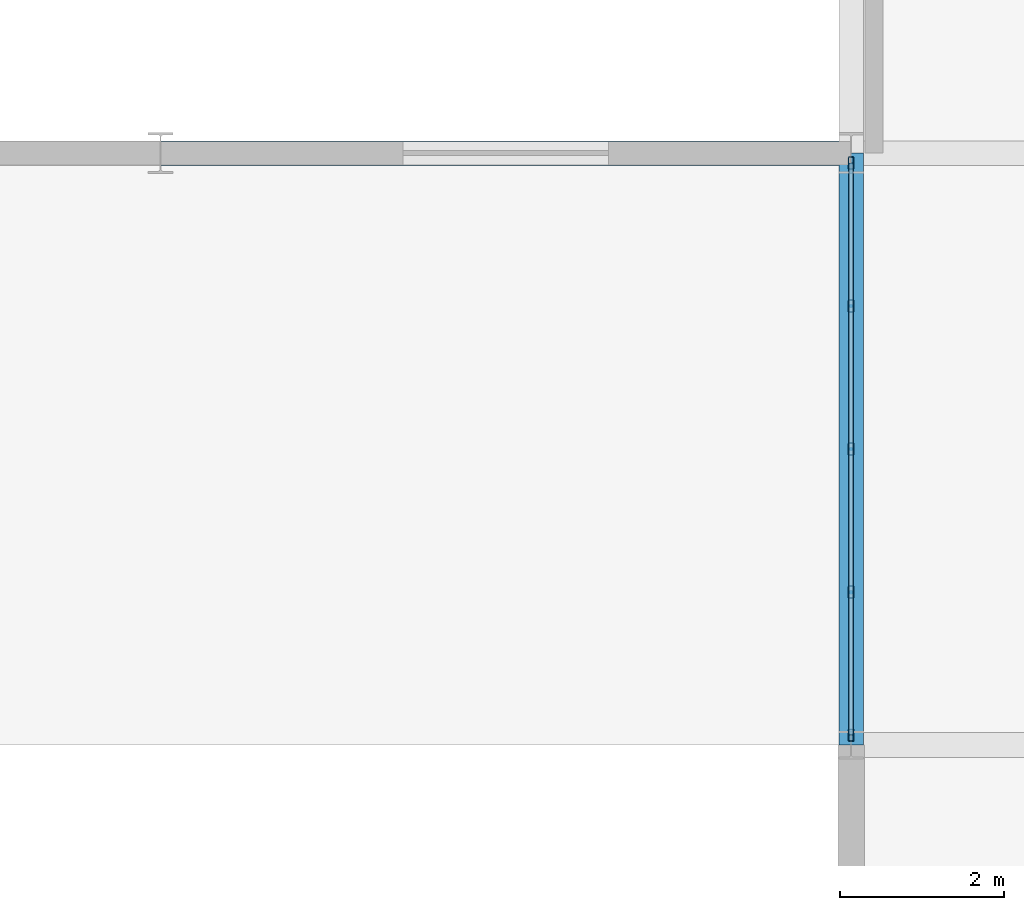
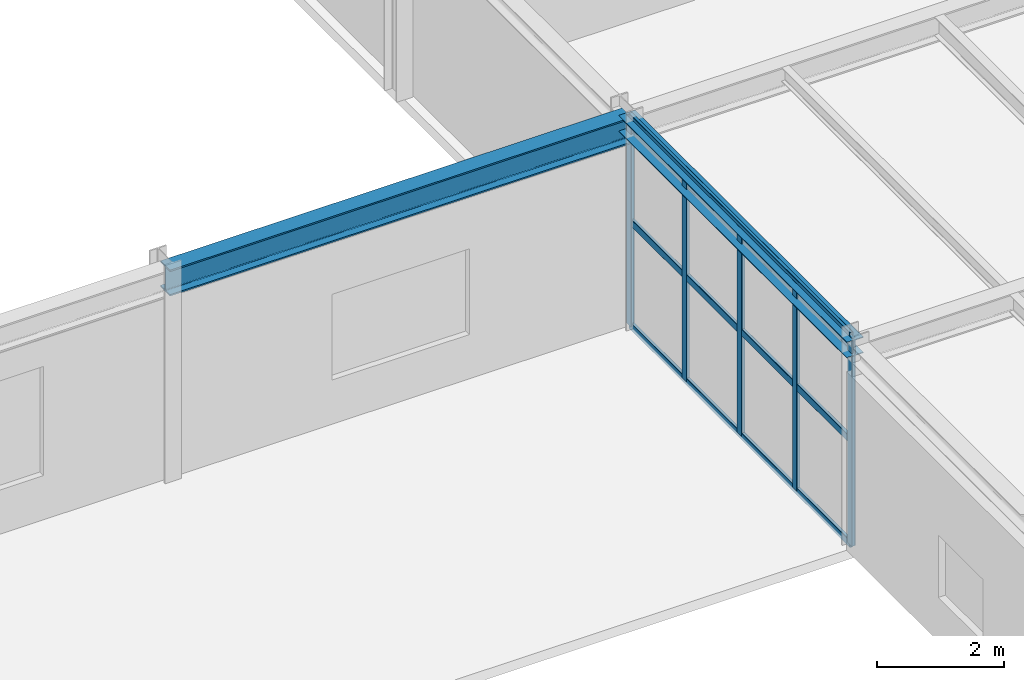
# One storey, part 44 of 73: 8 members, 2 beams, 1 element without a shape of its own.
"""IFC4 building model written with IfcOpenShell, lengths in metres."""

from ifc_helpers import new_model, si_unit, derived_unit, direction, frame, origin, origin_2d, place, context, subcontext, project, spatial, hollow_rectangle, i_section, extrude, material, material_profile, profile_set, type_object, element, aggregate, save


model = new_model("IFC4")

# Units and contexts
model_context = context("Model", 3, precision=1e-05, world=origin(), true_north=direction((0.0, 1.0)))
body_context = subcontext(model_context, "Body", "Model", "MODEL_VIEW")
ifc_project = project(units=[si_unit("LENGTHUNIT", "METRE"), si_unit("AREAUNIT", "SQUARE_METRE"), si_unit("VOLUMEUNIT", "CUBIC_METRE"), si_unit("PLANEANGLEUNIT", "RADIAN"), si_unit("MASSUNIT", "GRAM", prefix="KILO"), derived_unit("THERMALTRANSMITTANCEUNIT", [(si_unit("MASSUNIT", "GRAM", prefix="KILO"), 1), (si_unit("TIMEUNIT", "SECOND"), -3), (si_unit("THERMODYNAMICTEMPERATUREUNIT", "KELVIN"), -1)])], contexts=[model_context])

# Site, building, storey
site_placement = place(None, origin())
site = spatial("IfcSite", under=ifc_project, at=site_placement, CompositionType="ELEMENT")
building_placement = place(site_placement, origin())
building = spatial("IfcBuilding", under=site, at=building_placement, Name="Kharveza Railside Sports Centre", CompositionType="ELEMENT")
storey_placement = place(building_placement, frame((0.0, 0.0, 8.699951171875)))
storey = spatial("IfcBuildingStorey", under=building, at=storey_placement, Name="L02", CompositionType="ELEMENT", Elevation=8.699951171875)

# Beams
ifc_material_1 = material(Name="Steel S355J2", Category="steel")
ifc_material_profile_1 = material_profile(ifc_material_1, i_section(OverallWidth=0.300048828125, OverallDepth=0.5, WebThickness=0.014404296875, FlangeThickness=0.028076171875, FilletRadius=0.027099609375, at=origin_2d()), Name="HEB 500")
ifc_profile_set_1 = profile_set([ifc_material_profile_1], Name="Steel S355J2")
beam_type_1 = type_object("IfcBeamType", Name="BM-G05", PredefinedType="T_BEAM", material=ifc_profile_set_1)
beam_1_placement = place(storey_placement, frame((134.39990234375, 79.199951171875, 3.75), z_axis=(1.0, 0.0, 0.0), x_axis=(0.0, 1.0, 0.0)))
element("IfcBeam", 1, at=beam_1_placement, inside=storey, type_object=beam_type_1, Name="BM-EW-L02-B05-X1344-Y792", PredefinedType="T_BEAM", context=body_context, shape_type="SweptSolid", body=[
    extrude(i_section(OverallWidth=0.300048828125, OverallDepth=0.5, WebThickness=0.014404296875, FlangeThickness=0.028076171875, FilletRadius=0.027099609375, at=origin_2d()), origin(), (0.0, 0.0, 1.0), 8.400146484375),
])
ifc_material_profile_2 = material_profile(ifc_material_1, i_section(OverallWidth=0.300048828125, OverallDepth=0.31005859375, WebThickness=0.009033203125, FlangeThickness=0.015380859375, FilletRadius=0.027099609375, at=origin_2d()), Name="HEA 320")
ifc_profile_set_2 = profile_set([ifc_material_profile_2], Name="Steel S355J2")
beam_type_2 = type_object("IfcBeamType", Name="BM-S06", PredefinedType="BEAM", material=ifc_profile_set_2)
beam_2_placement = place(storey_placement, frame((142.800048828125, 72.0, 3.844970703125), z_axis=(0.0, 1.0, 0.0), x_axis=(-1.0, 0.0, 0.0)))
element("IfcBeam", 2, at=beam_2_placement, inside=storey, type_object=beam_type_2, Name="BM-NS-L02-B14-X1428-Y720", PredefinedType="BEAM", context=body_context, shape_type="SweptSolid", body=[
    extrude(i_section(OverallWidth=0.300048828125, OverallDepth=0.31005859375, WebThickness=0.009033203125, FlangeThickness=0.015380859375, FilletRadius=0.027099609375, at=origin_2d()), origin(), (0.0, 0.0, 1.0), 7.199951171875),
])

# Curtain wall, members
ifc_material_2 = material(Name="Low-E solar-control laminated glass", Category="glass")
curtain_wall_type = type_object("IfcCurtainWallType", Name="CW-WG02", PredefinedType="NOTDEFINED", material=ifc_material_2)
curtain_wall_placement = place(storey_placement, origin())
curtain_wall = element("IfcCurtainWall", 3, at=curtain_wall_placement, inside=storey, type_object=curtain_wall_type, Name="CW-WG-L02-CW-WG02-X1428-Y756", PredefinedType="NOTDEFINED")
ifc_material_3 = material(Name="Anodised aluminium 6063-T6", Category="aluminium")
ifc_material_profile_3 = material_profile(ifc_material_3, hollow_rectangle(XDim=0.06494140625, YDim=0.14990234375, WallThickness=0.0048828125, InnerFilletRadius=0.0048828125, OuterFilletRadius=0.010009765625, at=origin_2d()), Name="RHS 65x150x5.0")
ifc_profile_set_3 = profile_set([ifc_material_profile_3], Name="Anodised aluminium 6063-T6")
member_type_1 = type_object("IfcMemberType", Name="CW-ML04", PredefinedType="MULLION", material=ifc_profile_set_3)
member_1_placement = place(storey_placement, frame((142.800048828125, 79.080078125, 0.0), z_axis=(0.0, 0.0, 1.0), x_axis=(1.0, 0.0, 0.0)))
member_1 = element("IfcMember", 4, at=member_1_placement, type_object=member_type_1, Name="CW-WG-L02-CW-WG02-X1428-Y756-ML1", PredefinedType="MULLION", context=body_context, shape_type="SweptSolid", body=[
    extrude(hollow_rectangle(XDim=0.06494140625, YDim=0.14990234375, WallThickness=0.0048828125, InnerFilletRadius=0.0048828125, OuterFilletRadius=0.010009765625, at=origin_2d()), origin(), (0.0, 0.0, 1.0), 4.0),
])
member_2_placement = place(storey_placement, frame((142.800048828125, 77.340087890625, 0.0), z_axis=(0.0, 0.0, 1.0), x_axis=(1.0, 0.0, 0.0)))
member_2 = element("IfcMember", 5, at=member_2_placement, type_object=member_type_1, Name="CW-WG-L02-CW-WG02-X1428-Y756-ML2", PredefinedType="MULLION", context=body_context, shape_type="SweptSolid", body=[
    extrude(hollow_rectangle(XDim=0.06494140625, YDim=0.14990234375, WallThickness=0.0048828125, InnerFilletRadius=0.0048828125, OuterFilletRadius=0.010009765625, at=origin_2d()), origin(), (0.0, 0.0, 1.0), 4.0),
])
member_3_placement = place(storey_placement, frame((142.800048828125, 75.60009765625, 0.0), z_axis=(0.0, 0.0, 1.0), x_axis=(1.0, 0.0, 0.0)))
member_3 = element("IfcMember", 6, at=member_3_placement, type_object=member_type_1, Name="CW-WG-L02-CW-WG02-X1428-Y756-ML3", PredefinedType="MULLION", context=body_context, shape_type="SweptSolid", body=[
    extrude(hollow_rectangle(XDim=0.06494140625, YDim=0.14990234375, WallThickness=0.0048828125, InnerFilletRadius=0.0048828125, OuterFilletRadius=0.010009765625, at=origin_2d()), origin(), (0.0, 0.0, 1.0), 4.0),
])
member_4_placement = place(storey_placement, frame((142.800048828125, 73.860107421875, 0.0), z_axis=(0.0, 0.0, 1.0), x_axis=(1.0, 0.0, 0.0)))
member_4 = element("IfcMember", 7, at=member_4_placement, type_object=member_type_1, Name="CW-WG-L02-CW-WG02-X1428-Y756-ML4", PredefinedType="MULLION", context=body_context, shape_type="SweptSolid", body=[
    extrude(hollow_rectangle(XDim=0.06494140625, YDim=0.14990234375, WallThickness=0.0048828125, InnerFilletRadius=0.0048828125, OuterFilletRadius=0.010009765625, at=origin_2d()), origin(), (0.0, 0.0, 1.0), 4.0),
])
member_5_placement = place(storey_placement, frame((142.800048828125, 72.1201171875, 0.0), z_axis=(0.0, 0.0, 1.0), x_axis=(1.0, 0.0, 0.0)))
member_5 = element("IfcMember", 8, at=member_5_placement, type_object=member_type_1, Name="CW-WG-L02-CW-WG02-X1428-Y756-ML5", PredefinedType="MULLION", context=body_context, shape_type="SweptSolid", body=[
    extrude(hollow_rectangle(XDim=0.06494140625, YDim=0.14990234375, WallThickness=0.0048828125, InnerFilletRadius=0.0048828125, OuterFilletRadius=0.010009765625, at=origin_2d()), origin(), (0.0, 0.0, 1.0), 4.0),
])
ifc_material_profile_4 = material_profile(ifc_material_3, hollow_rectangle(XDim=0.06005859375, YDim=0.139892578125, WallThickness=0.0048828125, InnerFilletRadius=0.0048828125, OuterFilletRadius=0.010009765625, at=origin_2d()), Name="RHS 60x140x5.0")
ifc_profile_set_4 = profile_set([ifc_material_profile_4], Name="Anodised aluminium 6063-T6")
member_type_2 = type_object("IfcMemberType", Name="CW-TR04", PredefinedType="USERDEFINED", material=ifc_profile_set_4)
member_6_placement = place(storey_placement, frame((142.800048828125, 79.080078125, 0.0), z_axis=(0.0, -1.0, 0.0), x_axis=(1.0, 0.0, 0.0)))
member_6 = element("IfcMember", 9, at=member_6_placement, type_object=member_type_2, Name="CW-WG-L02-CW-WG02-X1428-Y756-TR1", ObjectType="TRANSOM", PredefinedType="USERDEFINED", context=body_context, shape_type="SweptSolid", body=[
    extrude(hollow_rectangle(XDim=0.06005859375, YDim=0.139892578125, WallThickness=0.0048828125, InnerFilletRadius=0.0048828125, OuterFilletRadius=0.010009765625, at=origin_2d()), origin(), (0.0, 0.0, 1.0), 6.9599609375),
])
member_7_placement = place(storey_placement, frame((142.800048828125, 79.080078125, 2.0), z_axis=(0.0, -1.0, 0.0), x_axis=(1.0, 0.0, 0.0)))
member_7 = element("IfcMember", 10, at=member_7_placement, type_object=member_type_2, Name="CW-WG-L02-CW-WG02-X1428-Y756-TR2", ObjectType="TRANSOM", PredefinedType="USERDEFINED", context=body_context, shape_type="SweptSolid", body=[
    extrude(hollow_rectangle(XDim=0.06005859375, YDim=0.139892578125, WallThickness=0.0048828125, InnerFilletRadius=0.0048828125, OuterFilletRadius=0.010009765625, at=origin_2d()), origin(), (0.0, 0.0, 1.0), 6.9599609375),
])
member_8_placement = place(storey_placement, frame((142.800048828125, 79.080078125, 4.0), z_axis=(0.0, -1.0, 0.0), x_axis=(1.0, 0.0, 0.0)))
member_8 = element("IfcMember", 11, at=member_8_placement, type_object=member_type_2, Name="CW-WG-L02-CW-WG02-X1428-Y756-TR3", ObjectType="TRANSOM", PredefinedType="USERDEFINED", context=body_context, shape_type="SweptSolid", body=[
    extrude(hollow_rectangle(XDim=0.06005859375, YDim=0.139892578125, WallThickness=0.0048828125, InnerFilletRadius=0.0048828125, OuterFilletRadius=0.010009765625, at=origin_2d()), origin(), (0.0, 0.0, 1.0), 6.9599609375),
])
aggregate(curtain_wall, [member_1, member_2, member_3, member_4, member_5, member_6, member_7, member_8])

save(model, "model.ifc")
